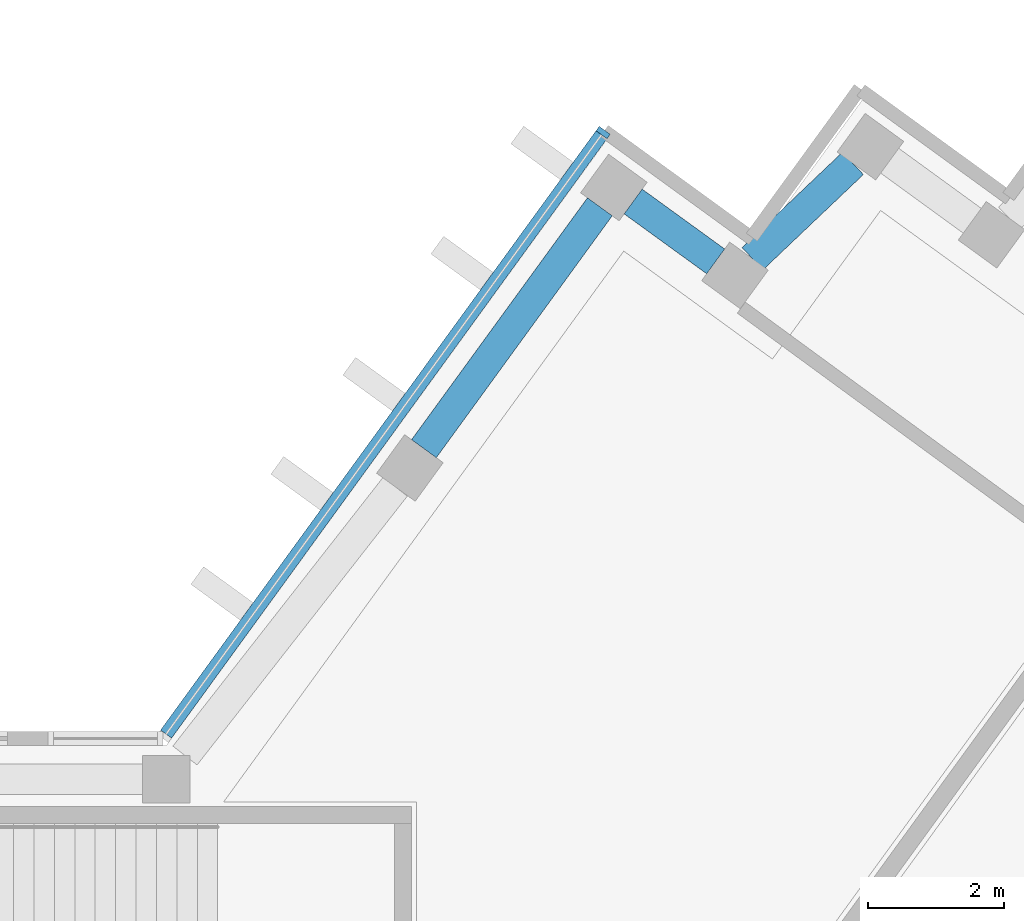
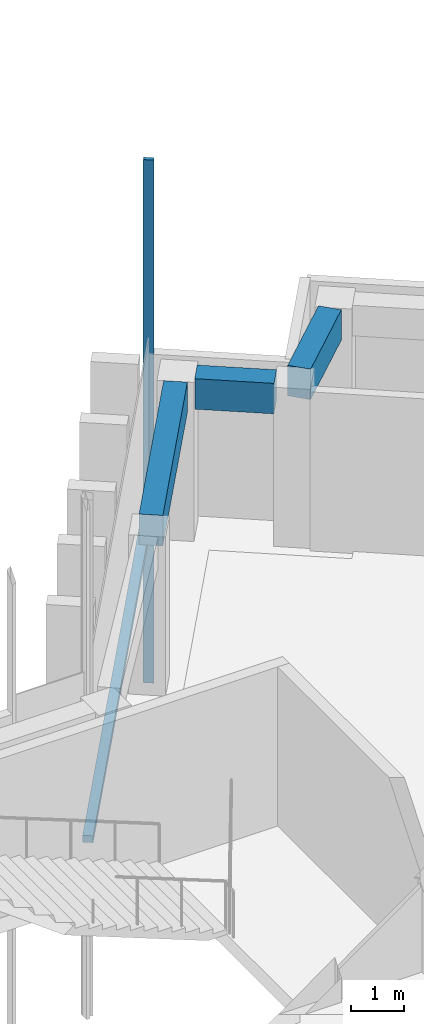
# One storey, part 4 of 14: 3 beams, 2 members, 1 element without a shape of its own.
"""IFC4 building model written with IfcOpenShell, lengths in metres."""

from ifc_helpers import new_model, si_unit, direction, frame, origin, origin_2d, place, context, subcontext, project, spatial, rectangle, extrude, material, material_profile, profile_set, type_object, element, aggregate, save


model = new_model("IFC4")

# Units and contexts
model_context = context("Model", 3, precision=1e-05, world=origin(), true_north=direction((0.0, 1.0)))
body_context = subcontext(model_context, "Body", "Model", "MODEL_VIEW")
ifc_project = project(units=[si_unit("LENGTHUNIT", "METRE"), si_unit("AREAUNIT", "SQUARE_METRE"), si_unit("VOLUMEUNIT", "CUBIC_METRE"), si_unit("PLANEANGLEUNIT", "RADIAN"), si_unit("MASSUNIT", "GRAM", prefix="KILO")], contexts=[model_context])

# Site, building, storey
site_placement = place(None, origin())
site = spatial("IfcSite", under=ifc_project, at=site_placement, CompositionType="ELEMENT")
building_placement = place(site_placement, origin())
building = spatial("IfcBuilding", under=site, at=building_placement, Name="Quipu Civic Tower", CompositionType="ELEMENT")
storey_placement = place(building_placement, frame((0.0, 0.0, 335.0)))
storey = spatial("IfcBuildingStorey", under=building, at=storey_placement, Name="L78", CompositionType="ELEMENT", Elevation=335.0)

# Curtain wall, member
ifc_material_1 = material(Name="Insulated glass unit", Category="glass")
curtain_wall_type = type_object("IfcCurtainWallType", Name="Office curtain wall CW1", PredefinedType="NOTDEFINED", material=ifc_material_1)
curtain_wall_placement = place(storey_placement, origin())
curtain_wall = element("IfcCurtainWall", 1, at=curtain_wall_placement, inside=storey, type_object=curtain_wall_type, Name="Office curtain wall CW1 L77 run 26", PredefinedType="NOTDEFINED")
ifc_material_2 = material(Name="Anodised aluminium", Category="aluminium")
ifc_material_profile_1 = material_profile(ifc_material_2, rectangle(XDim=0.199951171875, YDim=0.080078125, at=origin_2d()), Name="RECT 200x80")
ifc_profile_set_1 = profile_set([ifc_material_profile_1], Name="Anodised aluminium")
member_type_1 = type_object("IfcMemberType", Name="Mullion CW1", PredefinedType="MULLION", material=ifc_profile_set_1)
member_1_placement = place(storey_placement, frame((20.8125, 20.002685546875, -3.919921875), z_axis=(0.0, 0.0, 1.0), x_axis=(0.809015163947, -0.587787771652, 0.0)))
member_1 = element("IfcMember", 2, at=member_1_placement, type_object=member_type_1, Name="CW1 mullion 1", PredefinedType="MULLION", context=body_context, shape_type="SweptSolid", body=[
    extrude(rectangle(XDim=0.199951171875, YDim=0.080078125, at=origin_2d()), origin(), (0.0, 0.0, 1.0), 12.0),
])

# Beams
ifc_material_3 = material(Name="Concrete C50/60", Category="concrete")
ifc_material_profile_2 = material_profile(ifc_material_3, rectangle(XDim=0.449951171875, YDim=0.699951171875, at=origin_2d()), Name="RC450x700")
ifc_profile_set_2 = profile_set([ifc_material_profile_2], Name="Concrete C50/60")
beam_type = type_object("IfcBeamType", Name="Spandrel beam RC 450x700 C50/60", PredefinedType="SPANDREL", material=ifc_profile_set_2)
beam_1_placement = place(storey_placement, frame((24.48193359375, 19.5498046875, 3.300048828125), z_axis=(-0.72511931772, -0.6886232461, 0.0), x_axis=(0.6886232461, -0.72511931772, 0.0)))
element("IfcBeam", 3, at=beam_1_placement, inside=storey, type_object=beam_type, Name="Spandrel beam L78 T-Ei.2-E22 to T-Ei.3-E22", PredefinedType="SPANDREL", context=body_context, shape_type="SweptSolid", body=[
    extrude(rectangle(XDim=0.449951171875, YDim=0.699951171875, at=origin_2d()), origin(), (0.0, 0.0, 1.0), 2.03369140625),
])
beam_2_placement = place(storey_placement, frame((22.466064453125, 18.10986328125, 3.300048828125), z_axis=(-0.809461336076, 0.587173181776, 0.0), x_axis=(-0.587173181776, -0.809461336076, 0.0)))
element("IfcBeam", 4, at=beam_2_placement, inside=storey, type_object=beam_type, Name="Spandrel beam L78 T-Ei.3-E22 to T-Ei.4-E22", PredefinedType="SPANDREL", context=body_context, shape_type="SweptSolid", body=[
    extrude(rectangle(XDim=0.449951171875, YDim=0.699951171875, at=origin_2d()), origin(), (0.0, 0.0, 1.0), 1.498046875),
])
beam_3_placement = place(storey_placement, frame((20.76416015625, 18.911865234375, 3.300048828125), z_axis=(-0.588201428764, -0.808714460857, 0.0), x_axis=(0.808714460857, -0.588201428764, 0.0)))
element("IfcBeam", 5, at=beam_3_placement, inside=storey, type_object=beam_type, Name="Spandrel beam L78 T-Ei.4-E22 to E-IN-01", PredefinedType="SPANDREL", context=body_context, shape_type="SweptSolid", body=[
    extrude(rectangle(XDim=0.449951171875, YDim=0.699951171875, at=origin_2d()), origin(), (0.0, 0.0, 1.0), 4.394287109375),
])

# Member
ifc_material_4 = material(Name="Anodised aluminium", Category="aluminium")
ifc_material_profile_3 = material_profile(ifc_material_4, rectangle(XDim=0.199951171875, YDim=0.159912109375, at=origin_2d()), Name="RECT 200x160")
ifc_profile_set_3 = profile_set([ifc_material_profile_3], Name="Anodised aluminium")
member_type_2 = type_object("IfcMemberType", Name="Transom CW1", PredefinedType="USERDEFINED", material=ifc_profile_set_3)
member_2_placement = place(storey_placement, frame((20.788818359375, 19.97021484375, 0.080078125), z_axis=(-0.587796859727, -0.809008560953, 0.0), x_axis=(0.809008560953, -0.587796859727, 0.0)))
member_2 = element("IfcMember", 6, at=member_2_placement, type_object=member_type_2, Name="CW1 transom 1.2", ObjectType="TRANSOM", PredefinedType="USERDEFINED", context=body_context, shape_type="SweptSolid", body=[
    extrude(rectangle(XDim=0.199951171875, YDim=0.159912109375, at=origin_2d()), origin(), (0.0, 0.0, 1.0), 10.88427734375),
])

aggregate(curtain_wall, [member_1, member_2])

save(model, "model.ifc")
